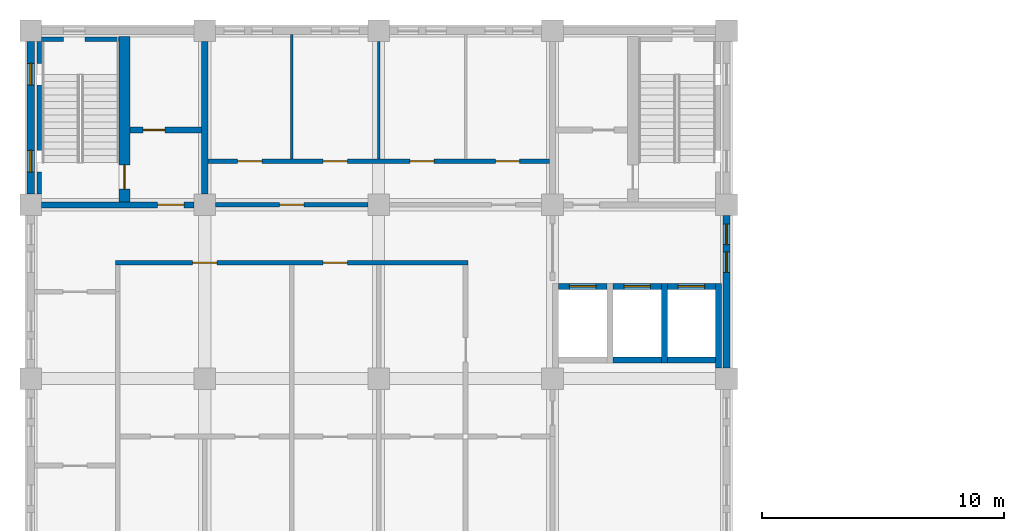
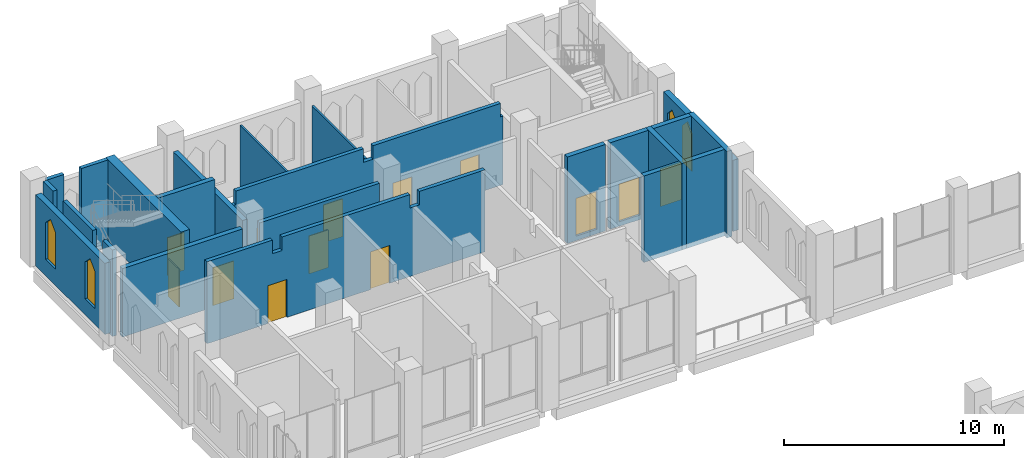
# One storey, part 31 of 39: 23 walls, 13 doors, 4 windows, 17 openings.
"""IFC4 building model written with IfcOpenShell, lengths in metres."""

from ifc_helpers import new_model, si_unit, direction, frame, frame_2d, origin, place, context, subcontext, project, spatial, polyline, rectangle, outline, extrude, material, layer, layer_set, type_object, element, fill, save


model = new_model("IFC4")

# Units and contexts
model_context = context("Model", 3, precision=1e-05, world=origin(), true_north=direction((0.0, 1.0)))
body_context = subcontext(model_context, "Body", "Model", "MODEL_VIEW")
ifc_project = project(units=[si_unit("LENGTHUNIT", "METRE"), si_unit("AREAUNIT", "SQUARE_METRE"), si_unit("VOLUMEUNIT", "CUBIC_METRE"), si_unit("PLANEANGLEUNIT", "RADIAN"), si_unit("MASSUNIT", "GRAM", prefix="KILO")], contexts=[model_context])

# Site, building, storey
site_placement = place(None, origin())
site = spatial("IfcSite", under=ifc_project, at=site_placement, CompositionType="ELEMENT")
building_placement = place(site_placement, origin())
building = spatial("IfcBuilding", under=site, at=building_placement, Name="Silangan Lancet Faculty of Sciences", CompositionType="ELEMENT")
storey_placement = place(building_placement, frame((0.0, 0.0, 26.39990234375)))
storey = spatial("IfcBuildingStorey", under=building, at=storey_placement, Name="L05", CompositionType="ELEMENT", Elevation=26.39990234375)

# Wall, openings, windows
ifc_material_1 = material(Name="Concrete C40/50 precast", Category="concrete")
ifc_layer_1 = layer(ifc_material_1, 0.300048828125)
ifc_layer_set_1 = layer_set([ifc_layer_1], Name="Concrete C40/50 precast")
wall_type_1 = type_object("IfcWallType", Name="EW1 Precast cladding wall", PredefinedType="STANDARD", material=ifc_layer_set_1)
wall_1_placement = place(storey_placement, frame((28.800048828125, 43.64990234375, 0.0), z_axis=(0.0, 0.0, 1.0), x_axis=(0.0, 1.0, 0.0)))
wall_1 = element("IfcWall", 1, at=wall_1_placement, inside=storey, type_object=wall_type_1, Name="EW-L05-E-NT-01", PredefinedType="STANDARD", context=body_context, shape_type="SweptSolid", body=[
    extrude(rectangle(XDim=6.300048828125, YDim=0.300048828125, at=frame_2d((3.14990234375, 0.0))), origin(), (0.0, 0.0, 1.0), 3.9501953125),
])
opening_1_placement = place(wall_1_placement, frame((3.949951171875, 0.0, 0.89990234375)))
opening_1 = element("IfcOpeningElement", 2, at=opening_1_placement, cuts=wall_1, Name="Opening W14", PredefinedType="OPENING", context=body_context, shape_type="SweptSolid", body=[
    extrude(outline(polyline([(0.0, 0.0), (0.85009765625, 0.0), (0.85009765625, 2.050048828125), (0.425048828125, 2.5), (0.0, 2.050048828125), (0.0, 0.0)])), frame((0.0, 0.159912109375, 0.0), z_axis=(0.0, -1.0, 0.0), x_axis=(1.0, 0.0, 0.0)), (0.0, 0.0, 1.0), 0.320068359375),
])
opening_2_placement = place(wall_1_placement, frame((5.10009765625, 0.0, 0.89990234375)))
opening_2 = element("IfcOpeningElement", 3, at=opening_2_placement, cuts=wall_1, Name="Opening W14", PredefinedType="OPENING", context=body_context, shape_type="SweptSolid", body=[
    extrude(outline(polyline([(0.0, 0.0), (0.85009765625, 0.0), (0.85009765625, 2.050048828125), (0.425048828125, 2.5), (0.0, 2.050048828125), (0.0, 0.0)])), frame((0.0, 0.159912109375, 0.0), z_axis=(0.0, -1.0, 0.0), x_axis=(1.0, 0.0, 0.0)), (0.0, 0.0, 1.0), 0.320068359375),
])
ifc_material_2 = material(Name="Aluminium frame, laminated double glazing", Category="aluminium")
window_type_1 = type_object("IfcWindowType", Name="W14 Lancet window 850 x 2500", PartitioningType="SINGLE_PANEL", PredefinedType="WINDOW", material=ifc_material_2)
window_1_placement = place(opening_1_placement, origin())
window_1 = element("IfcWindow", 4, at=window_1_placement, inside=storey, type_object=window_type_1, Name="WIN-L05-E-NT-01b1", OverallHeight=2.5, OverallWidth=0.85009765625, PartitioningType="SINGLE_PANEL", PredefinedType="WINDOW", context=body_context, shape_type="SweptSolid", body=[
    extrude(outline(polyline([(0.0, 0.0), (0.85009765625, 0.0), (0.85009765625, 2.050048828125), (0.425048828125, 2.5), (0.0, 2.050048828125), (0.0, 0.0)])), frame((0.0, 0.030029296875, 0.0), z_axis=(0.0, -1.0, 0.0), x_axis=(1.0, 0.0, 0.0)), (0.0, 0.0, 1.0), 0.06005859375),
])
fill(opening_1, window_1)
window_2_placement = place(opening_2_placement, origin())
window_2 = element("IfcWindow", 5, at=window_2_placement, inside=storey, type_object=window_type_1, Name="WIN-L05-E-NT-01b2", OverallHeight=2.5, OverallWidth=0.85009765625, PartitioningType="SINGLE_PANEL", PredefinedType="WINDOW", context=body_context, shape_type="SweptSolid", body=[
    extrude(outline(polyline([(0.0, 0.0), (0.85009765625, 0.0), (0.85009765625, 2.050048828125), (0.425048828125, 2.5), (0.0, 2.050048828125), (0.0, 0.0)])), frame((0.0, 0.030029296875, 0.0), z_axis=(0.0, -1.0, 0.0), x_axis=(1.0, 0.0, 0.0)), (0.0, 0.0, 1.0), 0.06005859375),
])
fill(opening_2, window_2)

ifc_material_3 = material(Name="Concrete C40/50 precast", Category="concrete")
ifc_layer_2 = layer(ifc_material_3, 0.300048828125)
ifc_layer_set_2 = layer_set([ifc_layer_2], Name="Concrete C40/50 precast")
wall_type_2 = type_object("IfcWallType", Name="EW2 Turret enclosure wall", PredefinedType="STANDARD", material=ifc_layer_set_2)
wall_2_placement = place(storey_placement, frame((0.0, 50.85009765625, 0.0), z_axis=(0.0, 0.0, 1.0), x_axis=(0.0, 1.0, 0.0)))
wall_2 = element("IfcWall", 6, at=wall_2_placement, inside=storey, type_object=wall_type_2, Name="EW-L05-W-NT-02", PredefinedType="STANDARD", context=body_context, shape_type="SweptSolid", body=[
    extrude(rectangle(XDim=6.2998046875, YDim=0.300048828125, at=frame_2d((3.14990234375, 0.0))), origin(), (0.0, 0.0, 1.0), 3.9501953125),
])
opening_3_placement = place(wall_2_placement, frame((0.89990234375, 0.0, 0.89990234375)))
opening_3 = element("IfcOpeningElement", 7, at=opening_3_placement, cuts=wall_2, Name="Opening W11", PredefinedType="OPENING", context=body_context, shape_type="SweptSolid", body=[
    extrude(outline(polyline([(0.0, 0.0), (0.89990234375, 0.0), (0.89990234375, 2.050048828125), (0.449951171875, 2.5), (0.0, 2.050048828125), (0.0, 0.0)])), frame((0.0, 0.159912109375, 0.0), z_axis=(0.0, -1.0, 0.0), x_axis=(1.0, 0.0, 0.0)), (0.0, 0.0, 1.0), 0.320068359375),
])
opening_4_placement = place(wall_2_placement, frame((4.5, 0.0, 0.89990234375)))
opening_4 = element("IfcOpeningElement", 8, at=opening_4_placement, cuts=wall_2, Name="Opening W11", PredefinedType="OPENING", context=body_context, shape_type="SweptSolid", body=[
    extrude(outline(polyline([(0.0, 0.0), (0.89990234375, 0.0), (0.89990234375, 2.050048828125), (0.449951171875, 2.5), (0.0, 2.050048828125), (0.0, 0.0)])), frame((0.0, 0.159912109375, 0.0), z_axis=(0.0, -1.0, 0.0), x_axis=(1.0, 0.0, 0.0)), (0.0, 0.0, 1.0), 0.320068359375),
])
ifc_material_4 = material(Name="Aluminium frame, laminated double glazing", Category="aluminium")
window_type_2 = type_object("IfcWindowType", Name="W11 Lancet window 900 x 2500", PartitioningType="SINGLE_PANEL", PredefinedType="WINDOW", material=ifc_material_4)
window_3_placement = place(opening_3_placement, origin())
window_3 = element("IfcWindow", 9, at=window_3_placement, inside=storey, type_object=window_type_2, Name="WIN-L05-W-NT-02a", OverallHeight=2.5, OverallWidth=0.89990234375, PartitioningType="SINGLE_PANEL", PredefinedType="WINDOW", context=body_context, shape_type="SweptSolid", body=[
    extrude(outline(polyline([(0.0, 0.0), (0.89990234375, 0.0), (0.89990234375, 2.050048828125), (0.449951171875, 2.5), (0.0, 2.050048828125), (0.0, 0.0)])), frame((0.0, 0.030029296875, 0.0), z_axis=(0.0, -1.0, 0.0), x_axis=(1.0, 0.0, 0.0)), (0.0, 0.0, 1.0), 0.06005859375),
])
fill(opening_3, window_3)
window_4_placement = place(opening_4_placement, origin())
window_4 = element("IfcWindow", 10, at=window_4_placement, inside=storey, type_object=window_type_2, Name="WIN-L05-W-NT-02b", OverallHeight=2.5, OverallWidth=0.89990234375, PartitioningType="SINGLE_PANEL", PredefinedType="WINDOW", context=body_context, shape_type="SweptSolid", body=[
    extrude(outline(polyline([(0.0, 0.0), (0.89990234375, 0.0), (0.89990234375, 2.050048828125), (0.449951171875, 2.5), (0.0, 2.050048828125), (0.0, 0.0)])), frame((0.0, 0.030029296875, 0.0), z_axis=(0.0, -1.0, 0.0), x_axis=(1.0, 0.0, 0.0)), (0.0, 0.0, 1.0), 0.06005859375),
])
fill(opening_4, window_4)

# Wall, openings, doors
ifc_material_5 = material(Name="Hollow block masonry fm 7 MPa", Category="masonry")
ifc_layer_3 = layer(ifc_material_5, 0.199951171875)
ifc_layer_set_3 = layer_set([ifc_layer_3], Name="Hollow block masonry fm 7 MPa")
wall_type_3 = type_object("IfcWallType", Name="Interior wall PW1 Corridor wall CHB 200", PredefinedType="PARTITIONING", material=ifc_layer_set_3)
wall_3_placement = place(storey_placement, frame((3.5, 48.0, 0.0), z_axis=(0.0, 0.0, 1.0), x_axis=(1.0, 0.0, 0.0)))
wall_3 = element("IfcWall", 11, at=wall_3_placement, inside=storey, type_object=wall_type_3, Name="Corridor wall CHB 200", PredefinedType="PARTITIONING", context=body_context, shape_type="SweptSolid", body=[
    extrude(outline(polyline([(0.0, 0.0), (14.60009765625, 0.0), (14.60009765625, 4.550048828125), (11.14990234375, 4.550048828125), (11.14990234375, 3.800048828125), (10.64990234375, 3.800048828125), (10.64990234375, 4.550048828125), (3.949951171875, 4.550048828125), (3.949951171875, 3.800048828125), (3.449951171875, 3.800048828125), (3.449951171875, 4.550048828125), (0.0, 4.550048828125), (0.0, 0.0)])), frame((0.0, 0.10009765625, 0.0), z_axis=(0.0, -1.0, 0.0), x_axis=(1.0, 0.0, 0.0)), (0.0, 0.0, 1.0), 0.199951171875),
])
opening_5_placement = place(wall_3_placement, frame((3.199951171875, 0.0, 0.0)))
opening_5 = element("IfcOpeningElement", 12, at=opening_5_placement, cuts=wall_3, Name="Opening L05-026", PredefinedType="OPENING", context=body_context, shape_type="SweptSolid", body=[
    extrude(rectangle(XDim=1.0, YDim=2.10009765625, at=frame_2d((0.5, 1.050048828125))), frame((0.0, 0.10986328125, 0.0), z_axis=(0.0, -1.0, 0.0), x_axis=(1.0, 0.0, 0.0)), (0.0, 0.0, 1.0), 0.219970703125),
])
opening_6_placement = place(wall_3_placement, frame((8.60009765625, 0.0, 0.0)))
opening_6 = element("IfcOpeningElement", 13, at=opening_6_placement, cuts=wall_3, Name="Opening L05-029", PredefinedType="OPENING", context=body_context, shape_type="SweptSolid", body=[
    extrude(rectangle(XDim=1.0, YDim=2.10009765625, at=frame_2d((0.5, 1.050048828125))), frame((0.0, 0.10986328125, 0.0), z_axis=(0.0, -1.0, 0.0), x_axis=(1.0, 0.0, 0.0)), (0.0, 0.0, 1.0), 0.219970703125),
])
ifc_material_6 = material(Name="Steel fire door set", Category="steel")
door_type_1 = type_object("IfcDoorType", Name="Door D1 Single leaf fire door 1000 x 2100", OperationType="SINGLE_SWING_LEFT", PredefinedType="DOOR", material=ifc_material_6)
door_1_placement = place(opening_5_placement, frame((1.0, 0.0, 0.0), z_axis=(0.0, 0.0, 1.0), x_axis=(-1.0, 0.0, 0.0)))
door_1 = element("IfcDoor", 14, at=door_1_placement, inside=storey, type_object=door_type_1, Name="Single leaf fire door 1000 x 2100", OperationType="SINGLE_SWING_RIGHT", OverallHeight=2.10009765625, OverallWidth=1.0, PredefinedType="DOOR", context=body_context, shape_type="SweptSolid", body=[
    extrude(rectangle(XDim=1.0, YDim=2.10009765625, at=frame_2d((0.5, 1.050048828125))), frame((0.0, 0.025146484375, 0.0), z_axis=(0.0, -1.0, 0.0), x_axis=(1.0, 0.0, 0.0)), (0.0, 0.0, 1.0), 0.050048828125),
])
fill(opening_5, door_1)
door_2_placement = place(opening_6_placement, frame((1.0, 0.0, 0.0), z_axis=(0.0, 0.0, 1.0), x_axis=(-1.0, 0.0, 0.0)))
door_2 = element("IfcDoor", 15, at=door_2_placement, inside=storey, type_object=door_type_1, Name="Single leaf fire door 1000 x 2100", OperationType="SINGLE_SWING_LEFT", OverallHeight=2.10009765625, OverallWidth=1.0, PredefinedType="DOOR", context=body_context, shape_type="SweptSolid", body=[
    extrude(rectangle(XDim=1.0, YDim=2.10009765625, at=frame_2d((0.5, 1.050048828125))), frame((0.0, 0.025146484375, 0.0), z_axis=(0.0, -1.0, 0.0), x_axis=(1.0, 0.0, 0.0)), (0.0, 0.0, 1.0), 0.050048828125),
])
fill(opening_6, door_2)

# Wall, opening, door
wall_4_placement = place(storey_placement, frame((7.64990234375, 50.39990234375, 0.0), z_axis=(0.0, 0.0, 1.0), x_axis=(1.0, 0.0, 0.0)))
wall_4 = element("IfcWall", 16, at=wall_4_placement, inside=storey, type_object=wall_type_3, Name="Corridor wall CHB 200", PredefinedType="PARTITIONING", context=body_context, shape_type="SweptSolid", body=[
    extrude(rectangle(XDim=6.300048828125, YDim=0.199951171875, at=frame_2d((3.14990234375, 0.0))), origin(), (0.0, 0.0, 1.0), 3.800048828125),
])
opening_7_placement = place(wall_4_placement, frame((2.64990234375, 0.0, 0.0)))
opening_7 = element("IfcOpeningElement", 17, at=opening_7_placement, cuts=wall_4, Name="Opening L05-005", PredefinedType="OPENING", context=body_context, shape_type="SweptSolid", body=[
    extrude(rectangle(XDim=1.0, YDim=2.10009765625, at=frame_2d((0.5, 1.050048828125))), frame((0.0, 0.10986328125, 0.0), z_axis=(0.0, -1.0, 0.0), x_axis=(1.0, 0.0, 0.0)), (0.0, 0.0, 1.0), 0.219970703125),
])
door_3_placement = place(opening_7_placement, origin())
door_3 = element("IfcDoor", 18, at=door_3_placement, inside=storey, type_object=door_type_1, Name="Single leaf fire door 1000 x 2100", OperationType="SINGLE_SWING_RIGHT", OverallHeight=2.10009765625, OverallWidth=1.0, PredefinedType="DOOR", context=body_context, shape_type="SweptSolid", body=[
    extrude(rectangle(XDim=1.0, YDim=2.10009765625, at=frame_2d((0.5, 1.050048828125))), frame((0.0, 0.02490234375, 0.0), z_axis=(0.0, -1.0, 0.0), x_axis=(1.0, 0.0, 0.0)), (0.0, 0.0, 1.0), 0.050048828125),
])
fill(opening_7, door_3)

# Wall, openings, doors
wall_5_placement = place(storey_placement, frame((7.324951171875, 52.199951171875, 0.0), z_axis=(0.0, 0.0, 1.0), x_axis=(1.0, 0.0, 0.0)))
wall_5 = element("IfcWall", 19, at=wall_5_placement, inside=storey, type_object=wall_type_3, Name="Corridor wall CHB 200", PredefinedType="PARTITIONING", context=body_context, shape_type="SweptSolid", body=[
    extrude(outline(polyline([(0.0, 0.0), (14.150146484375, 0.0), (14.150146484375, 3.800048828125), (14.02490234375, 3.800048828125), (14.02490234375, 4.550048828125), (7.324951171875, 4.550048828125), (7.324951171875, 3.800048828125), (6.824951171875, 3.800048828125), (6.824951171875, 4.550048828125), (0.125, 4.550048828125), (0.125, 3.800048828125), (0.0, 3.800048828125), (0.0, 0.0)])), frame((0.0, 0.10009765625, 0.0), z_axis=(0.0, -1.0, 0.0), x_axis=(1.0, 0.0, 0.0)), (0.0, 0.0, 1.0), 0.199951171875),
])
opening_8_placement = place(wall_5_placement, frame((1.237548828125, 0.0, 0.0)))
opening_8 = element("IfcOpeningElement", 20, at=opening_8_placement, cuts=wall_5, Name="Opening L05-018", PredefinedType="OPENING", context=body_context, shape_type="SweptSolid", body=[
    extrude(rectangle(XDim=1.0, YDim=2.10009765625, at=frame_2d((0.5, 1.050048828125))), frame((0.0, 0.10986328125, 0.0), z_axis=(0.0, -1.0, 0.0), x_axis=(1.0, 0.0, 0.0)), (0.0, 0.0, 1.0), 0.219970703125),
])
opening_9_placement = place(wall_5_placement, frame((4.77490234375, 0.0, 0.0)))
opening_9 = element("IfcOpeningElement", 21, at=opening_9_placement, cuts=wall_5, Name="Opening L05-019", PredefinedType="OPENING", context=body_context, shape_type="SweptSolid", body=[
    extrude(rectangle(XDim=1.0, YDim=2.10009765625, at=frame_2d((0.5, 1.050048828125))), frame((0.0, 0.10986328125, 0.0), z_axis=(0.0, -1.0, 0.0), x_axis=(1.0, 0.0, 0.0)), (0.0, 0.0, 1.0), 0.219970703125),
])
opening_10_placement = place(wall_5_placement, frame((8.375, 0.0, 0.0)))
opening_10 = element("IfcOpeningElement", 22, at=opening_10_placement, cuts=wall_5, Name="Opening L05-020", PredefinedType="OPENING", context=body_context, shape_type="SweptSolid", body=[
    extrude(rectangle(XDim=1.0, YDim=2.10009765625, at=frame_2d((0.5, 1.050048828125))), frame((0.0, 0.10986328125, 0.0), z_axis=(0.0, -1.0, 0.0), x_axis=(1.0, 0.0, 0.0)), (0.0, 0.0, 1.0), 0.219970703125),
])
opening_11_placement = place(wall_5_placement, frame((11.91259765625, 0.0, 0.0)))
opening_11 = element("IfcOpeningElement", 23, at=opening_11_placement, cuts=wall_5, Name="Opening L05-021", PredefinedType="OPENING", context=body_context, shape_type="SweptSolid", body=[
    extrude(rectangle(XDim=1.0, YDim=2.10009765625, at=frame_2d((0.5, 1.050048828125))), frame((0.0, 0.10986328125, 0.0), z_axis=(0.0, -1.0, 0.0), x_axis=(1.0, 0.0, 0.0)), (0.0, 0.0, 1.0), 0.219970703125),
])
door_4_placement = place(opening_8_placement, origin())
door_4 = element("IfcDoor", 24, at=door_4_placement, inside=storey, type_object=door_type_1, Name="Single leaf fire door 1000 x 2100", OperationType="SINGLE_SWING_LEFT", OverallHeight=2.10009765625, OverallWidth=1.0, PredefinedType="DOOR", context=body_context, shape_type="SweptSolid", body=[
    extrude(rectangle(XDim=1.0, YDim=2.10009765625, at=frame_2d((0.5, 1.050048828125))), frame((0.0, 0.02490234375, 0.0), z_axis=(0.0, -1.0, 0.0), x_axis=(1.0, 0.0, 0.0)), (0.0, 0.0, 1.0), 0.050048828125),
])
fill(opening_8, door_4)
door_5_placement = place(opening_9_placement, origin())
door_5 = element("IfcDoor", 25, at=door_5_placement, inside=storey, type_object=door_type_1, Name="Single leaf fire door 1000 x 2100", OperationType="SINGLE_SWING_RIGHT", OverallHeight=2.10009765625, OverallWidth=1.0, PredefinedType="DOOR", context=body_context, shape_type="SweptSolid", body=[
    extrude(rectangle(XDim=1.0, YDim=2.10009765625, at=frame_2d((0.5, 1.050048828125))), frame((0.0, 0.02490234375, 0.0), z_axis=(0.0, -1.0, 0.0), x_axis=(1.0, 0.0, 0.0)), (0.0, 0.0, 1.0), 0.050048828125),
])
fill(opening_9, door_5)
door_6_placement = place(opening_10_placement, origin())
door_6 = element("IfcDoor", 26, at=door_6_placement, inside=storey, type_object=door_type_1, Name="Single leaf fire door 1000 x 2100", OperationType="SINGLE_SWING_LEFT", OverallHeight=2.10009765625, OverallWidth=1.0, PredefinedType="DOOR", context=body_context, shape_type="SweptSolid", body=[
    extrude(rectangle(XDim=1.0, YDim=2.10009765625, at=frame_2d((0.5, 1.050048828125))), frame((0.0, 0.02490234375, 0.0), z_axis=(0.0, -1.0, 0.0), x_axis=(1.0, 0.0, 0.0)), (0.0, 0.0, 1.0), 0.050048828125),
])
fill(opening_10, door_6)
door_7_placement = place(opening_11_placement, origin())
door_7 = element("IfcDoor", 27, at=door_7_placement, inside=storey, type_object=door_type_1, Name="Single leaf fire door 1000 x 2100", OperationType="SINGLE_SWING_RIGHT", OverallHeight=2.10009765625, OverallWidth=1.0, PredefinedType="DOOR", context=body_context, shape_type="SweptSolid", body=[
    extrude(rectangle(XDim=1.0, YDim=2.10009765625, at=frame_2d((0.5, 1.050048828125))), frame((0.0, 0.02490234375, 0.0), z_axis=(0.0, -1.0, 0.0), x_axis=(1.0, 0.0, 0.0)), (0.0, 0.0, 1.0), 0.050048828125),
])
fill(opening_11, door_7)

# Walls
ifc_material_7 = material(Name="Hollow block masonry fm 7 MPa", Category="masonry")
ifc_layer_4 = layer(ifc_material_7, 0.10009765625)
ifc_layer_set_4 = layer_set([ifc_layer_4], Name="Hollow block masonry fm 7 MPa")
wall_type_4 = type_object("IfcWallType", Name="Interior wall PW8 WC partition CHB 100", PredefinedType="PARTITIONING", material=ifc_layer_set_4)
wall_6_placement = place(storey_placement, frame((10.800048828125, 52.300048828125, 0.0), z_axis=(0.0, 0.0, 1.0), x_axis=(0.0, 1.0, 0.0)))
element("IfcWall", 28, at=wall_6_placement, inside=storey, type_object=wall_type_4, Name="WC partition CHB 100", PredefinedType="PARTITIONING", context=body_context, shape_type="SweptSolid", body=[
    extrude(rectangle(XDim=5.14990234375, YDim=0.10009765625, at=frame_2d((2.574951171875, 0.0))), origin(), (0.0, 0.0, 1.0), 3.800048828125),
])
wall_7_placement = place(storey_placement, frame((14.39990234375, 52.300048828125, 0.0), z_axis=(0.0, 0.0, 1.0), x_axis=(0.0, 1.0, 0.0)))
element("IfcWall", 29, at=wall_7_placement, inside=storey, type_object=wall_type_4, Name="WC partition CHB 100", PredefinedType="PARTITIONING", context=body_context, shape_type="SweptSolid", body=[
    extrude(rectangle(XDim=4.849853515625, YDim=0.10009765625, at=frame_2d((2.4248046875, 0.0))), origin(), (0.0, 0.0, 1.0), 3.800048828125),
])
ifc_material_8 = material(Name="Concrete C40/50", Category="concrete")
ifc_layer_5 = layer(ifc_material_8, 0.25)
ifc_layer_set_5 = layer_set([ifc_layer_5], Name="Concrete C40/50")
wall_type_5 = type_object("IfcWallType", Name="LIFT SHAFT WALL RC 250", PredefinedType="SHEAR", material=ifc_layer_set_5)
wall_8_placement = place(storey_placement, frame((26.22509765625, 43.85009765625, -0.25), z_axis=(0.0, 0.0, 1.0), x_axis=(0.0, 1.0, 0.0)))
element("IfcWall", 30, at=wall_8_placement, inside=storey, type_object=wall_type_5, Name="WALL-L05-NT-SW3", PredefinedType="SHEAR", context=body_context, shape_type="SweptSolid", body=[
    extrude(rectangle(XDim=3.2998046875, YDim=0.25, at=frame_2d((1.64990234375, 0.0))), origin(), (0.0, 0.0, 1.0), 4.800048828125),
])
wall_9_placement = place(storey_placement, frame((28.47509765625, 43.64990234375, -0.25), z_axis=(0.0, 0.0, 1.0), x_axis=(0.0, 1.0, 0.0)))
element("IfcWall", 31, at=wall_9_placement, inside=storey, type_object=wall_type_5, Name="WALL-L05-NT-SW4", PredefinedType="SHEAR", context=body_context, shape_type="SweptSolid", body=[
    extrude(rectangle(XDim=3.5, YDim=0.25, at=frame_2d((1.75, 0.0))), origin(), (0.0, 0.0, 1.0), 4.800048828125),
])

# Wall, opening, door
wall_10_placement = place(storey_placement, frame((21.85009765625, 47.02490234375, -0.25), z_axis=(0.0, 0.0, 1.0), x_axis=(1.0, 0.0, 0.0)))
wall_10 = element("IfcWall", 32, at=wall_10_placement, inside=storey, type_object=wall_type_5, Name="WALL-L05-NT-L1-F", PredefinedType="SHEAR", context=body_context, shape_type="SweptSolid", body=[
    extrude(rectangle(XDim=2.0, YDim=0.25, at=frame_2d((1.0, 0.0))), origin(), (0.0, 0.0, 1.0), 4.800048828125),
])
opening_12_placement = place(wall_10_placement, frame((0.449951171875, 0.0, 0.25)))
opening_12 = element("IfcOpeningElement", 33, at=opening_12_placement, cuts=wall_10, Name="Opening L05-804", PredefinedType="OPENING", context=body_context, shape_type="SweptSolid", body=[
    extrude(rectangle(XDim=1.10009765625, YDim=2.10009765625, at=frame_2d((0.550048828125, 1.050048828125))), frame((0.0, 0.135009765625, 0.0), z_axis=(0.0, -1.0, 0.0), x_axis=(1.0, 0.0, 0.0)), (0.0, 0.0, 1.0), 0.27001953125),
])
ifc_material_9 = material(Name="Stainless steel sliding door", Category="steel")
door_type_2 = type_object("IfcDoorType", Name="LD1 Lift landing door 1100x2100", OperationType="SLIDING_TO_LEFT", PredefinedType="DOOR", material=ifc_material_9)
door_8_placement = place(opening_12_placement, origin())
door_8 = element("IfcDoor", 34, at=door_8_placement, inside=storey, type_object=door_type_2, Name="Landing door NT-L1 L05", OperationType="SLIDING_TO_LEFT", OverallHeight=2.10009765625, OverallWidth=1.10009765625, PredefinedType="DOOR", context=body_context, shape_type="SweptSolid", body=[
    extrude(rectangle(XDim=1.10009765625, YDim=2.10009765625, at=frame_2d((0.550048828125, 1.050048828125))), frame((0.0, 0.02490234375, 0.0), z_axis=(0.0, -1.0, 0.0), x_axis=(1.0, 0.0, 0.0)), (0.0, 0.0, 1.0), 0.050048828125),
])
fill(opening_12, door_8)

wall_11_placement = place(storey_placement, frame((24.10009765625, 47.02490234375, -0.25), z_axis=(0.0, 0.0, 1.0), x_axis=(1.0, 0.0, 0.0)))
wall_11 = element("IfcWall", 35, at=wall_11_placement, inside=storey, type_object=wall_type_5, Name="WALL-L05-NT-L2-F", PredefinedType="SHEAR", context=body_context, shape_type="SweptSolid", body=[
    extrude(rectangle(XDim=2.0, YDim=0.25, at=frame_2d((1.0, 0.0))), origin(), (0.0, 0.0, 1.0), 4.800048828125),
])
opening_13_placement = place(wall_11_placement, frame((0.449951171875, 0.0, 0.25)))
opening_13 = element("IfcOpeningElement", 36, at=opening_13_placement, cuts=wall_11, Name="Opening L05-805", PredefinedType="OPENING", context=body_context, shape_type="SweptSolid", body=[
    extrude(rectangle(XDim=1.10009765625, YDim=2.10009765625, at=frame_2d((0.550048828125, 1.050048828125))), frame((0.0, 0.135009765625, 0.0), z_axis=(0.0, -1.0, 0.0), x_axis=(1.0, 0.0, 0.0)), (0.0, 0.0, 1.0), 0.27001953125),
])
door_9_placement = place(opening_13_placement, origin())
door_9 = element("IfcDoor", 37, at=door_9_placement, inside=storey, type_object=door_type_2, Name="Landing door NT-L2 L05", OperationType="SLIDING_TO_LEFT", OverallHeight=2.10009765625, OverallWidth=1.10009765625, PredefinedType="DOOR", context=body_context, shape_type="SweptSolid", body=[
    extrude(rectangle(XDim=1.10009765625, YDim=2.10009765625, at=frame_2d((0.550048828125, 1.050048828125))), frame((0.0, 0.02490234375, 0.0), z_axis=(0.0, -1.0, 0.0), x_axis=(1.0, 0.0, 0.0)), (0.0, 0.0, 1.0), 0.050048828125),
])
fill(opening_13, door_9)

# Wall
wall_12_placement = place(storey_placement, frame((24.10009765625, 43.97509765625, -0.25), z_axis=(0.0, 0.0, 1.0), x_axis=(1.0, 0.0, 0.0)))
element("IfcWall", 38, at=wall_12_placement, inside=storey, type_object=wall_type_5, Name="WALL-L05-NT-L2-B", PredefinedType="SHEAR", context=body_context, shape_type="SweptSolid", body=[
    extrude(rectangle(XDim=2.0, YDim=0.25, at=frame_2d((1.0, 0.0))), origin(), (0.0, 0.0, 1.0), 4.800048828125),
])

# Wall, opening, door
wall_13_placement = place(storey_placement, frame((26.35009765625, 47.02490234375, -0.25), z_axis=(0.0, 0.0, 1.0), x_axis=(1.0, 0.0, 0.0)))
wall_13 = element("IfcWall", 39, at=wall_13_placement, inside=storey, type_object=wall_type_5, Name="WALL-L05-NT-L3-F", PredefinedType="SHEAR", context=body_context, shape_type="SweptSolid", body=[
    extrude(rectangle(XDim=2.0, YDim=0.25, at=frame_2d((1.0, 0.0))), origin(), (0.0, 0.0, 1.0), 4.800048828125),
])
opening_14_placement = place(wall_13_placement, frame((0.449951171875, 0.0, 0.25)))
opening_14 = element("IfcOpeningElement", 40, at=opening_14_placement, cuts=wall_13, Name="Opening L05-806", PredefinedType="OPENING", context=body_context, shape_type="SweptSolid", body=[
    extrude(rectangle(XDim=1.10009765625, YDim=2.10009765625, at=frame_2d((0.550048828125, 1.050048828125))), frame((0.0, 0.135009765625, 0.0), z_axis=(0.0, -1.0, 0.0), x_axis=(1.0, 0.0, 0.0)), (0.0, 0.0, 1.0), 0.27001953125),
])
door_10_placement = place(opening_14_placement, origin())
door_10 = element("IfcDoor", 41, at=door_10_placement, inside=storey, type_object=door_type_2, Name="Landing door NT-L3 L05", OperationType="SLIDING_TO_LEFT", OverallHeight=2.10009765625, OverallWidth=1.10009765625, PredefinedType="DOOR", context=body_context, shape_type="SweptSolid", body=[
    extrude(rectangle(XDim=1.10009765625, YDim=2.10009765625, at=frame_2d((0.550048828125, 1.050048828125))), frame((0.0, 0.02490234375, 0.0), z_axis=(0.0, -1.0, 0.0), x_axis=(1.0, 0.0, 0.0)), (0.0, 0.0, 1.0), 0.050048828125),
])
fill(opening_14, door_10)

# Wall
wall_14_placement = place(storey_placement, frame((26.35009765625, 43.97509765625, -0.25), z_axis=(0.0, 0.0, 1.0), x_axis=(1.0, 0.0, 0.0)))
element("IfcWall", 42, at=wall_14_placement, inside=storey, type_object=wall_type_5, Name="WALL-L05-NT-L3-B", PredefinedType="SHEAR", context=body_context, shape_type="SweptSolid", body=[
    extrude(rectangle(XDim=2.0, YDim=0.25, at=frame_2d((1.0, 0.0))), origin(), (0.0, 0.0, 1.0), 4.800048828125),
])

# Wall, opening, door
ifc_material_10 = material(Name="Concrete C40/50", Category="concrete")
ifc_layer_6 = layer(ifc_material_10, 0.449951171875)
ifc_layer_set_6 = layer_set([ifc_layer_6], Name="Concrete C40/50")
wall_type_6 = type_object("IfcWallType", Name="TURRET CORE WALL RC 450", PredefinedType="SHEAR", material=ifc_layer_set_6)
wall_15_placement = place(storey_placement, frame((3.875, 50.52490234375, 0.0), z_axis=(0.0, 0.0, 1.0), x_axis=(0.0, 1.0, 0.0)))
wall_15 = element("IfcWall", 43, at=wall_15_placement, inside=storey, type_object=wall_type_6, Name="WALL-L05-NT-A-WELL", PredefinedType="SHEAR", context=body_context, shape_type="SweptSolid", body=[
    extrude(rectangle(XDim=6.85009765625, YDim=0.449951171875, at=frame_2d((3.425048828125, 0.0))), origin(), (0.0, 0.0, 1.0), 4.550048828125),
])
opening_15_placement = place(wall_15_placement, frame((0.52490234375, 0.0, 0.0)))
opening_15 = element("IfcOpeningElement", 44, at=opening_15_placement, cuts=wall_15, Name="Opening L05-707", PredefinedType="OPENING", context=body_context, shape_type="SweptSolid", body=[
    extrude(rectangle(XDim=1.0, YDim=2.10009765625, at=frame_2d((0.5, 1.050048828125))), frame((0.0, 0.23486328125, 0.0), z_axis=(0.0, -1.0, 0.0), x_axis=(1.0, 0.0, 0.0)), (0.0, 0.0, 1.0), 0.469970703125),
])
ifc_material_11 = material(Name="Steel fire door set", Category="steel")
door_type_3 = type_object("IfcDoorType", Name="D71 Stair enclosure door 1000x2100", OperationType="SINGLE_SWING_LEFT", PredefinedType="DOOR", material=ifc_material_11)
door_11_placement = place(opening_15_placement, origin())
door_11 = element("IfcDoor", 45, at=door_11_placement, inside=storey, type_object=door_type_3, Name="Stair enclosure door NT-A L05", OperationType="SINGLE_SWING_LEFT", OverallHeight=2.10009765625, OverallWidth=1.0, PredefinedType="DOOR", context=body_context, shape_type="SweptSolid", body=[
    extrude(rectangle(XDim=1.0, YDim=2.10009765625, at=frame_2d((0.5, 1.050048828125))), frame((0.0, 0.02490234375, 0.0), z_axis=(0.0, -1.0, 0.0), x_axis=(1.0, 0.0, 0.0)), (0.0, 0.0, 1.0), 0.050048828125),
])
fill(opening_15, door_11)

# Walls
ifc_material_12 = material(Name="Concrete C40/50", Category="concrete")
ifc_layer_7 = layer(ifc_material_12, 0.199951171875)
ifc_layer_set_7 = layer_set([ifc_layer_7], Name="Concrete C40/50")
wall_type_7 = type_object("IfcWallType", Name="TURRET LINING WALL RC 200", PredefinedType="SHEAR", material=ifc_layer_set_7)
wall_16_placement = place(storey_placement, frame((0.35009765625, 50.85009765625, -0.25), z_axis=(0.0, 0.0, 1.0), x_axis=(0.0, 1.0, 0.0)))
element("IfcWall", 46, at=wall_16_placement, inside=storey, type_object=wall_type_7, Name="WALL-L05-NT-A-WL", PredefinedType="SHEAR", context=body_context, shape_type="SweptSolid", body=[
    extrude(rectangle(XDim=0.89990234375, YDim=0.199951171875, at=frame_2d((0.449951171875, 0.0))), origin(), (0.0, 0.0, 1.0), 4.800048828125),
])
wall_17_placement = place(storey_placement, frame((0.35009765625, 52.64990234375, -0.25), z_axis=(0.0, 0.0, 1.0), x_axis=(0.0, 1.0, 0.0)))
element("IfcWall", 47, at=wall_17_placement, inside=storey, type_object=wall_type_7, Name="WALL-L05-NT-A-WL-2", PredefinedType="SHEAR", context=body_context, shape_type="SweptSolid", body=[
    extrude(rectangle(XDim=2.7001953125, YDim=0.199951171875, at=frame_2d((1.35009765625, 0.0))), origin(), (0.0, 0.0, 1.0), 4.800048828125),
])
wall_18_placement = place(storey_placement, frame((0.35009765625, 56.25, -0.25), z_axis=(0.0, 0.0, 1.0), x_axis=(0.0, 1.0, 0.0)))
element("IfcWall", 48, at=wall_18_placement, inside=storey, type_object=wall_type_7, Name="WALL-L05-NT-A-WL-3", PredefinedType="SHEAR", context=body_context, shape_type="SweptSolid", body=[
    extrude(rectangle(XDim=0.89990234375, YDim=0.199951171875, at=frame_2d((0.449951171875, 0.0))), origin(), (0.0, 0.0, 1.0), 4.800048828125),
])
wall_19_placement = place(storey_placement, frame((0.449951171875, 57.25, -0.25), z_axis=(0.0, 0.0, 1.0), x_axis=(1.0, 0.0, 0.0)))
element("IfcWall", 49, at=wall_19_placement, inside=storey, type_object=wall_type_7, Name="WALL-L05-NT-A-WLD", PredefinedType="SHEAR", context=body_context, shape_type="SweptSolid", body=[
    extrude(rectangle(XDim=0.900146484375, YDim=0.199951171875, at=frame_2d((0.4501953125, 0.0))), origin(), (0.0, 0.0, 1.0), 4.800048828125),
])
wall_20_placement = place(storey_placement, frame((2.25, 57.25, -0.25), z_axis=(0.0, 0.0, 1.0), x_axis=(1.0, 0.0, 0.0)))
element("IfcWall", 50, at=wall_20_placement, inside=storey, type_object=wall_type_7, Name="WALL-L05-NT-A-WLD-2", PredefinedType="SHEAR", context=body_context, shape_type="SweptSolid", body=[
    extrude(rectangle(XDim=1.39990234375, YDim=0.199951171875, at=frame_2d((0.699951171875, 0.0))), origin(), (0.0, 0.0, 1.0), 4.800048828125),
])

# Wall, opening, door
ifc_material_13 = material(Name="Concrete C40/50", Category="concrete")
ifc_layer_8 = layer(ifc_material_13, 0.25)
ifc_layer_set_8 = layer_set([ifc_layer_8], Name="Concrete C40/50")
wall_type_8 = type_object("IfcWallType", Name="TURRET WALL RC 250", PredefinedType="SHEAR", material=ifc_layer_set_8)
wall_21_placement = place(storey_placement, frame((0.449951171875, 50.39990234375, 0.0), z_axis=(0.0, 0.0, 1.0), x_axis=(1.0, 0.0, 0.0)))
wall_21 = element("IfcWall", 51, at=wall_21_placement, inside=storey, type_object=wall_type_8, Name="WALL-L05-NT-A-V", PredefinedType="SHEAR", context=body_context, shape_type="SweptSolid", body=[
    extrude(rectangle(XDim=6.300048828125, YDim=0.25, at=frame_2d((3.14990234375, 0.0))), origin(), (0.0, 0.0, 1.0), 3.800048828125),
])
opening_16_placement = place(wall_21_placement, frame((4.800048828125, 0.0, 0.0)))
opening_16 = element("IfcOpeningElement", 52, at=opening_16_placement, cuts=wall_21, Name="Opening L05-708", PredefinedType="OPENING", context=body_context, shape_type="SweptSolid", body=[
    extrude(rectangle(XDim=1.10009765625, YDim=2.10009765625, at=frame_2d((0.550048828125, 1.050048828125))), frame((0.0, 0.135009765625, 0.0), z_axis=(0.0, -1.0, 0.0), x_axis=(1.0, 0.0, 0.0)), (0.0, 0.0, 1.0), 0.27001953125),
])
ifc_material_14 = material(Name="Steel fire door set", Category="steel")
door_type_4 = type_object("IfcDoorType", Name="D70 Stair vestibule door 1100x2100", OperationType="SINGLE_SWING_LEFT", PredefinedType="DOOR", material=ifc_material_14)
door_12_placement = place(opening_16_placement, origin())
door_12 = element("IfcDoor", 53, at=door_12_placement, inside=storey, type_object=door_type_4, Name="Stair vestibule door NT-A L05", OperationType="SINGLE_SWING_RIGHT", OverallHeight=2.10009765625, OverallWidth=1.10009765625, PredefinedType="DOOR", context=body_context, shape_type="SweptSolid", body=[
    extrude(rectangle(XDim=1.10009765625, YDim=2.10009765625, at=frame_2d((0.550048828125, 1.050048828125))), frame((0.0, 0.02490234375, 0.0), z_axis=(0.0, -1.0, 0.0), x_axis=(1.0, 0.0, 0.0)), (0.0, 0.0, 1.0), 0.050048828125),
])
fill(opening_16, door_12)

# Wall
wall_22_placement = place(storey_placement, frame((7.199951171875, 50.85009765625, 0.0), z_axis=(0.0, 0.0, 1.0), x_axis=(0.0, 1.0, 0.0)))
element("IfcWall", 54, at=wall_22_placement, inside=storey, type_object=wall_type_8, Name="WALL-L05-NT-A-O", PredefinedType="SHEAR", context=body_context, shape_type="SweptSolid", body=[
    extrude(rectangle(XDim=6.2998046875, YDim=0.25, at=frame_2d((3.14990234375, 0.0))), origin(), (0.0, 0.0, 1.0), 3.800048828125),
])

# Wall, opening, door
wall_23_placement = place(storey_placement, frame((4.10009765625, 53.5, 0.0), z_axis=(0.0, 0.0, 1.0), x_axis=(1.0, 0.0, 0.0)))
wall_23 = element("IfcWall", 55, at=wall_23_placement, inside=storey, type_object=wall_type_8, Name="WALL-L05-NT-A-RISER", PredefinedType="SHEAR", context=body_context, shape_type="SweptSolid", body=[
    extrude(rectangle(XDim=2.974853515625, YDim=0.25, at=frame_2d((1.4873046875, 0.0))), origin(), (0.0, 0.0, 1.0), 4.550048828125),
])
opening_17_placement = place(wall_23_placement, frame((0.550048828125, 0.0, 0.0)))
opening_17 = element("IfcOpeningElement", 56, at=opening_17_placement, cuts=wall_23, Name="Opening L05-709", PredefinedType="OPENING", context=body_context, shape_type="SweptSolid", body=[
    extrude(rectangle(XDim=0.89990234375, YDim=2.10009765625, at=frame_2d((0.449951171875, 1.050048828125))), frame((0.0, 0.135009765625, 0.0), z_axis=(0.0, -1.0, 0.0), x_axis=(1.0, 0.0, 0.0)), (0.0, 0.0, 1.0), 0.27001953125),
])
ifc_material_15 = material(Name="Steel fire door set", Category="steel")
door_type_5 = type_object("IfcDoorType", Name="D72 Riser access door 900x2100", OperationType="SINGLE_SWING_LEFT", PredefinedType="DOOR", material=ifc_material_15)
door_13_placement = place(opening_17_placement, origin())
door_13 = element("IfcDoor", 57, at=door_13_placement, inside=storey, type_object=door_type_5, Name="Riser access door NT-A L05", OperationType="SINGLE_SWING_RIGHT", OverallHeight=2.10009765625, OverallWidth=0.89990234375, PredefinedType="DOOR", context=body_context, shape_type="SweptSolid", body=[
    extrude(rectangle(XDim=0.89990234375, YDim=2.10009765625, at=frame_2d((0.449951171875, 1.050048828125))), frame((0.0, 0.02490234375, 0.0), z_axis=(0.0, -1.0, 0.0), x_axis=(1.0, 0.0, 0.0)), (0.0, 0.0, 1.0), 0.050048828125),
])
fill(opening_17, door_13)

save(model, "model.ifc")
